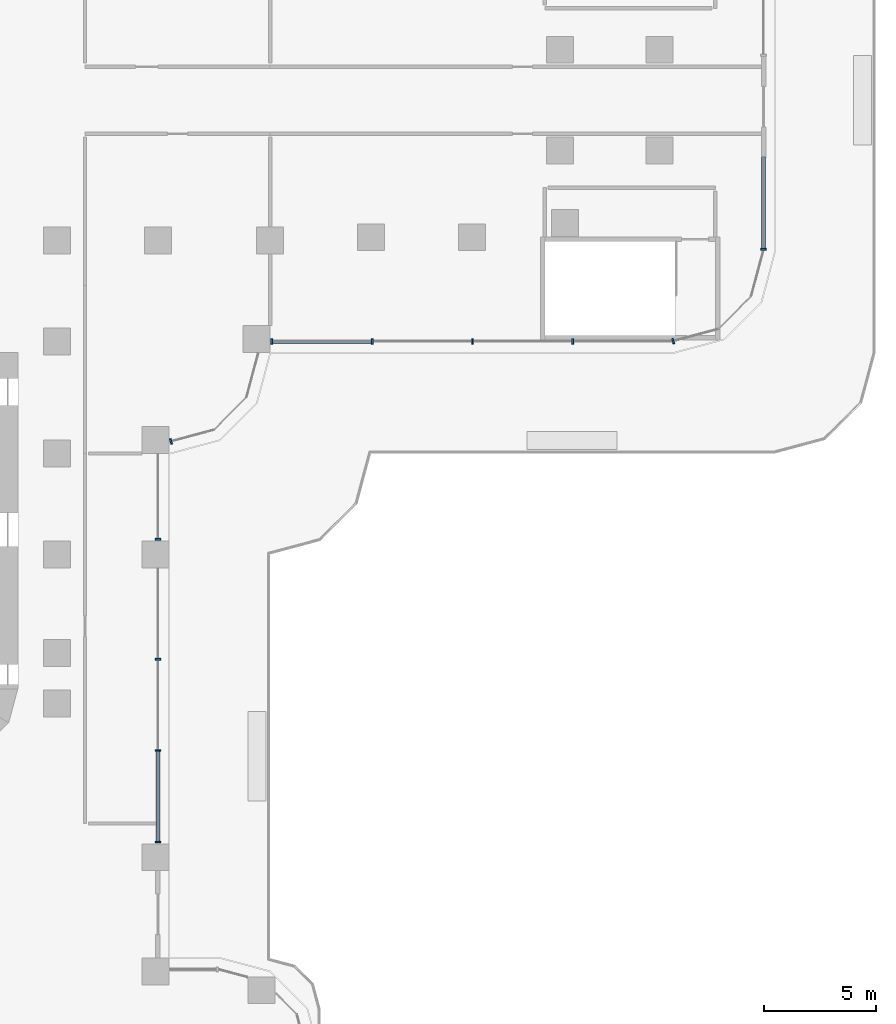
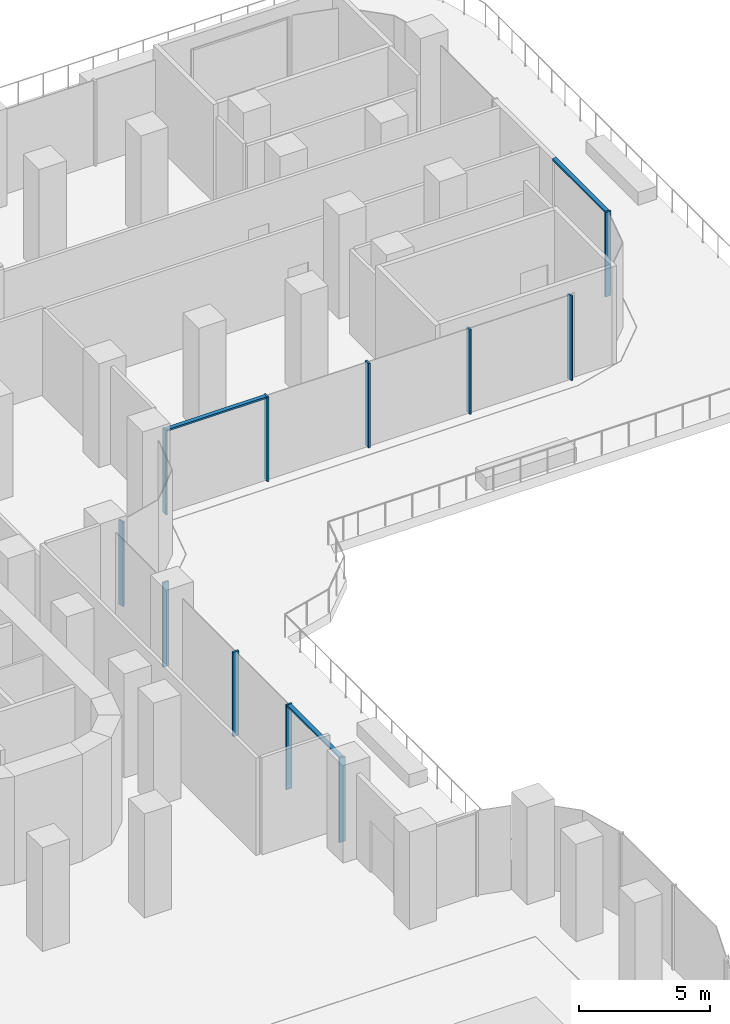
# One storey, part 5 of 21: 14 members, 5 elements without a shape of their own.
"""IFC4 building model written with IfcOpenShell, lengths in metres."""

from ifc_helpers import new_model, si_unit, direction, frame, origin, place, context, subcontext, project, spatial, polyline, outline, extrude, source, transform, mapped, material, type_object, element, aggregate, save


model = new_model("IFC4")

# Units and contexts
model_context = context("Model", 3, precision=1e-05, world=origin(), true_north=direction((0.0, 1.0)))
body_context = subcontext(model_context, "Body", "Model", "MODEL_VIEW")
ifc_project = project(units=[si_unit("LENGTHUNIT", "METRE"), si_unit("AREAUNIT", "SQUARE_METRE"), si_unit("VOLUMEUNIT", "CUBIC_METRE"), si_unit("PLANEANGLEUNIT", "RADIAN"), si_unit("MASSUNIT", "GRAM", prefix="KILO")], contexts=[model_context])

# Site, building, storey
site_placement = place(None, origin())
site = spatial("IfcSite", under=ifc_project, at=site_placement, CompositionType="ELEMENT")
building_placement = place(site_placement, origin())
building = spatial("IfcBuilding", under=site, at=building_placement, Name="Zarbagh Exchange Tower", CompositionType="ELEMENT")
storey_placement = place(building_placement, frame((0.0, 0.0, 22.0)))
storey = spatial("IfcBuildingStorey", under=building, at=storey_placement, Name="L04", CompositionType="ELEMENT", Elevation=22.0)

# Curtain wall, member
ifc_material_1 = material(Name="Anodised aluminium frame and glazing", Category="aluminium")
curtain_wall_type = type_object("IfcCurtainWallType", Name="CWC Podium garden-wall glazing", PredefinedType="NOTDEFINED", material=ifc_material_1)
curtain_wall_1_placement = place(storey_placement, origin())
curtain_wall_1 = element("IfcCurtainWall", 1, at=curtain_wall_1_placement, inside=storey, type_object=curtain_wall_type, Name="CWC187 curtain wall", PredefinedType="NOTDEFINED")
ifc_material_2 = material(Name="Anodised aluminium frame", Category="aluminium")
member_type_1 = type_object("IfcMemberType", Name="TRC Transom, anodised aluminium frame", PredefinedType="USERDEFINED", material=ifc_material_2)
shared_shape_1 = source(origin(), body_context, "Body", "SweptSolid", [
    extrude(outline(polyline([(-0.080078125, -0.090087890625), (0.0, -0.090087890625), (0.0, 0.090087890625), (-0.080078125, 0.090087890625), (-0.080078125, -0.090087890625)])), origin(), (0.0, 0.0, 1.0), 3.993408203125),
])
placement = place(storey_placement, origin())
member_1 = element("IfcMember", 2, at=placement, type_object=member_type_1, Name="CWC187 transom 1.1", ObjectType="TRANSOM", PredefinedType="USERDEFINED", context=body_context, shape_type="MappedRepresentation", body=[
    mapped(shared_shape_1, transform((10.75, -33.030029296875, 3.949951171875), x_axis=(0.0, 0.0, 1.0), y_axis=(1.0, 0.0, 0.0), z_axis=(0.0, 1.0, 0.0))),
])

curtain_wall_2_placement = place(storey_placement, origin())
curtain_wall_2 = element("IfcCurtainWall", 3, at=curtain_wall_2_placement, inside=storey, type_object=curtain_wall_type, Name="CWC195 curtain wall", PredefinedType="NOTDEFINED")
shared_shape_2 = source(origin(), body_context, "Body", "SweptSolid", [
    extrude(outline(polyline([(-0.080078125, -0.090087890625), (0.0, -0.090087890625), (0.0, 0.090087890625), (-0.080078125, 0.090087890625), (-0.080078125, -0.090087890625)])), origin(), (0.0, 0.0, 1.0), 4.067138671875),
])
member_2 = element("IfcMember", 4, at=placement, type_object=member_type_1, Name="CWC195 transom 1.1", ObjectType="TRANSOM", PredefinedType="USERDEFINED", context=body_context, shape_type="MappedRepresentation", body=[
    mapped(shared_shape_2, transform((37.75, -6.604248046875, 3.949951171875), x_axis=(0.0, 0.0, 1.0), y_axis=(1.0, 0.0, 0.0), z_axis=(0.0, 1.0, 0.0))),
])

# Member
member_type_2 = type_object("IfcMemberType", Name="MUC Mullion, anodised aluminium frame", PredefinedType="MULLION", material=ifc_material_2)
shared_shape_3 = source(origin(), body_context, "Body", "SweptSolid", [
    extrude(outline(polyline([(0.0, -0.125), (0.080078125, -0.125), (0.080078125, 0.125), (0.0, 0.125), (0.0, -0.125)])), origin(), (0.0, 0.0, 1.0), 3.949951171875),
])
member_3 = element("IfcMember", 5, at=placement, type_object=member_type_2, Name="CWC187 mullion 1.1", PredefinedType="MULLION", context=body_context, shape_type="MappedRepresentation", body=[
    mapped(shared_shape_3, transform((10.75, -33.110107421875, 0.0), x_axis=(0.0, 1.0, 0.0), y_axis=(-1.0, 0.0, 0.0), z_axis=(0.0, 0.0, 1.0))),
])

member_4 = element("IfcMember", 6, at=placement, type_object=member_type_2, Name="CWC187 mullion 1.2", PredefinedType="MULLION", context=body_context, shape_type="MappedRepresentation", body=[
    mapped(shared_shape_3, transform((10.75, -29.03662109375, 0.0), x_axis=(0.0, 1.0, 0.0), y_axis=(-1.0, 0.0, 0.0), z_axis=(0.0, 0.0, 1.0))),
])

member_5 = element("IfcMember", 7, at=placement, type_object=member_type_2, Name="CWC187 mullion 1.3", PredefinedType="MULLION", context=body_context, shape_type="MappedRepresentation", body=[
    mapped(shared_shape_3, transform((10.75, -24.96337890625, 0.0), x_axis=(0.0, 1.0, 0.0), y_axis=(-1.0, 0.0, 0.0), z_axis=(0.0, 0.0, 1.0))),
])

member_6 = element("IfcMember", 8, at=placement, type_object=member_type_2, Name="CWC187 mullion 2.1", PredefinedType="MULLION", context=body_context, shape_type="MappedRepresentation", body=[
    mapped(shared_shape_3, transform((10.75, -19.610107421875, 0.0), x_axis=(0.0, 1.0, 0.0), y_axis=(-1.0, 0.0, 0.0), z_axis=(0.0, 0.0, 1.0))),
])

aggregate(curtain_wall_1, [member_3, member_1, member_4, member_5, member_6])

# Curtain wall, member
curtain_wall_3_placement = place(storey_placement, origin())
curtain_wall_3 = element("IfcCurtainWall", 9, at=curtain_wall_3_placement, inside=storey, type_object=curtain_wall_type, Name="CWC188 curtain wall", PredefinedType="NOTDEFINED")
member_7 = element("IfcMember", 10, at=placement, type_object=member_type_2, Name="CWC188 mullion 1.1", PredefinedType="MULLION", context=body_context, shape_type="MappedRepresentation", body=[
    mapped(shared_shape_3, transform((11.2900390625, -15.2216796875, 0.0), x_axis=(0.965924289636, 0.258824779902, 0.0), y_axis=(-0.258824779902, 0.965924289636, 0.0), z_axis=(0.0, 0.0, 1.0))),
])
aggregate(curtain_wall_3, [member_7])

# Curtain wall, members
curtain_wall_4_placement = place(storey_placement, origin())
curtain_wall_4 = element("IfcCurtainWall", 11, at=curtain_wall_4_placement, inside=storey, type_object=curtain_wall_type, Name="CWC191 curtain wall", PredefinedType="NOTDEFINED")
member_8 = element("IfcMember", 12, at=placement, type_object=member_type_2, Name="CWC191 mullion 1.1", PredefinedType="MULLION", context=body_context, shape_type="MappedRepresentation", body=[
    mapped(shared_shape_3, transform((15.7900390625, -10.75, 0.0), x_axis=(1.0, 0.0, 0.0), y_axis=(0.0, 1.0, 0.0), z_axis=(0.0, 0.0, 1.0))),
])
member_9 = element("IfcMember", 13, at=placement, type_object=member_type_2, Name="CWC191 mullion 1.2", PredefinedType="MULLION", context=body_context, shape_type="MappedRepresentation", body=[
    mapped(shared_shape_3, transform((20.263671875, -10.75, 0.0), x_axis=(1.0, 0.0, 0.0), y_axis=(0.0, 1.0, 0.0), z_axis=(0.0, 0.0, 1.0))),
])
member_10 = element("IfcMember", 14, at=placement, type_object=member_type_2, Name="CWC191 mullion 1.3", PredefinedType="MULLION", context=body_context, shape_type="MappedRepresentation", body=[
    mapped(shared_shape_3, transform((24.737060546875, -10.75, 0.0), x_axis=(1.0, 0.0, 0.0), y_axis=(0.0, 1.0, 0.0), z_axis=(0.0, 0.0, 1.0))),
])
member_11 = element("IfcMember", 15, at=placement, type_object=member_type_2, Name="CWC191 mullion 1.4", PredefinedType="MULLION", context=body_context, shape_type="MappedRepresentation", body=[
    mapped(shared_shape_3, transform((29.210693359375, -10.75, 0.0), x_axis=(1.0, 0.0, 0.0), y_axis=(0.0, 1.0, 0.0), z_axis=(0.0, 0.0, 1.0))),
])

# Curtain wall, member
curtain_wall_5_placement = place(storey_placement, origin())
curtain_wall_5 = element("IfcCurtainWall", 16, at=curtain_wall_5_placement, inside=storey, type_object=curtain_wall_type, Name="CWC192 curtain wall", PredefinedType="NOTDEFINED")
member_12 = element("IfcMember", 17, at=placement, type_object=member_type_2, Name="CWC192 mullion 1.1", PredefinedType="MULLION", context=body_context, shape_type="MappedRepresentation", body=[
    mapped(shared_shape_3, transform((33.68408203125, -10.75, 0.0), x_axis=(0.965924289636, 0.258824779902, 0.0), y_axis=(-0.258824779902, 0.965924289636, 0.0), z_axis=(0.0, 0.0, 1.0))),
])
aggregate(curtain_wall_5, [member_12])

# Member
member_13 = element("IfcMember", 18, at=placement, type_object=member_type_2, Name="CWC195 mullion 1.1", PredefinedType="MULLION", context=body_context, shape_type="MappedRepresentation", body=[
    mapped(shared_shape_3, transform((37.75, -6.68408203125, 0.0), x_axis=(0.0, 1.0, 0.0), y_axis=(-1.0, 0.0, 0.0), z_axis=(0.0, 0.0, 1.0))),
])

aggregate(curtain_wall_2, [member_13, member_2])

shared_shape_4 = source(origin(), body_context, "Body", "SweptSolid", [
    extrude(outline(polyline([(-0.080078125, -0.090087890625), (0.0, -0.090087890625), (0.0, 0.090087890625), (-0.080078125, 0.090087890625), (-0.080078125, -0.090087890625)])), origin(), (0.0, 0.0, 1.0), 4.3935546875),
])
member_14 = element("IfcMember", 19, at=placement, type_object=member_type_1, Name="CWC191 transom 1.1", ObjectType="TRANSOM", PredefinedType="USERDEFINED", context=body_context, shape_type="MappedRepresentation", body=[
    mapped(shared_shape_4, transform((15.8701171875, -10.75, 3.949951171875), x_axis=(0.0, 0.0, 1.0), y_axis=(0.0, -1.0, 0.0), z_axis=(1.0, 0.0, 0.0))),
])

aggregate(curtain_wall_4, [member_8, member_14, member_9, member_10, member_11])

save(model, "model.ifc")
